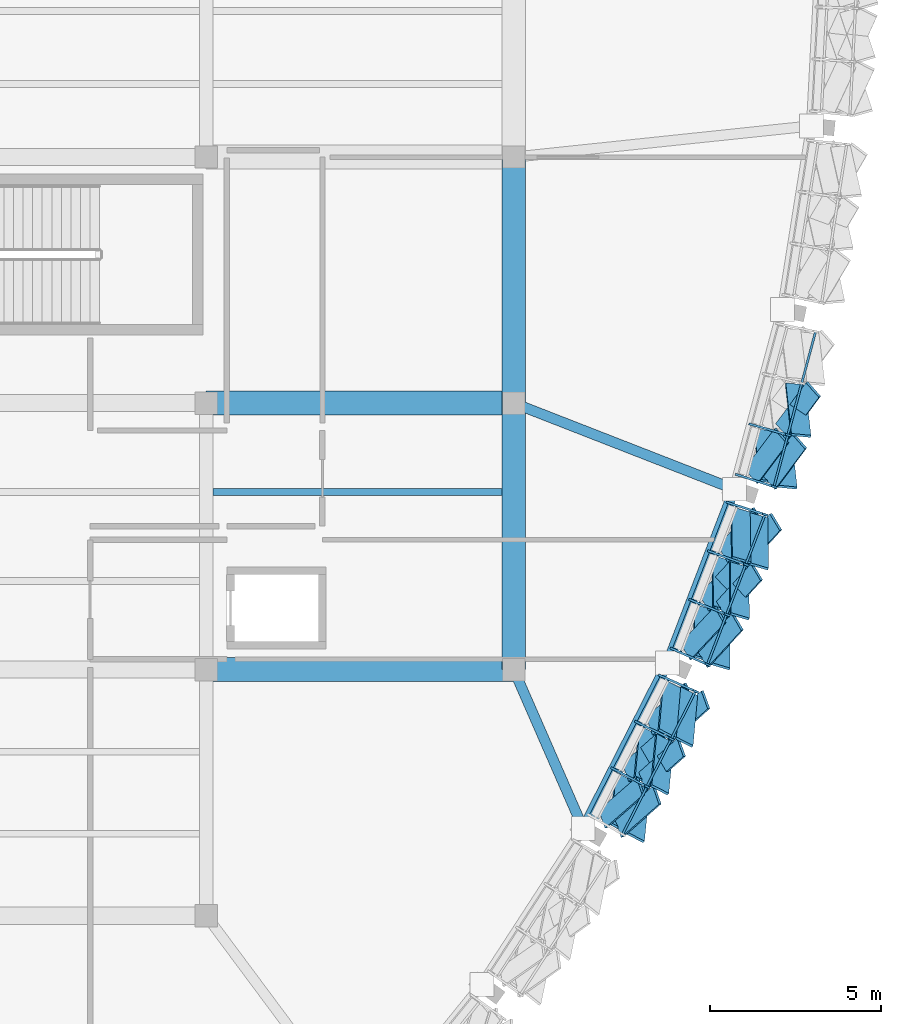
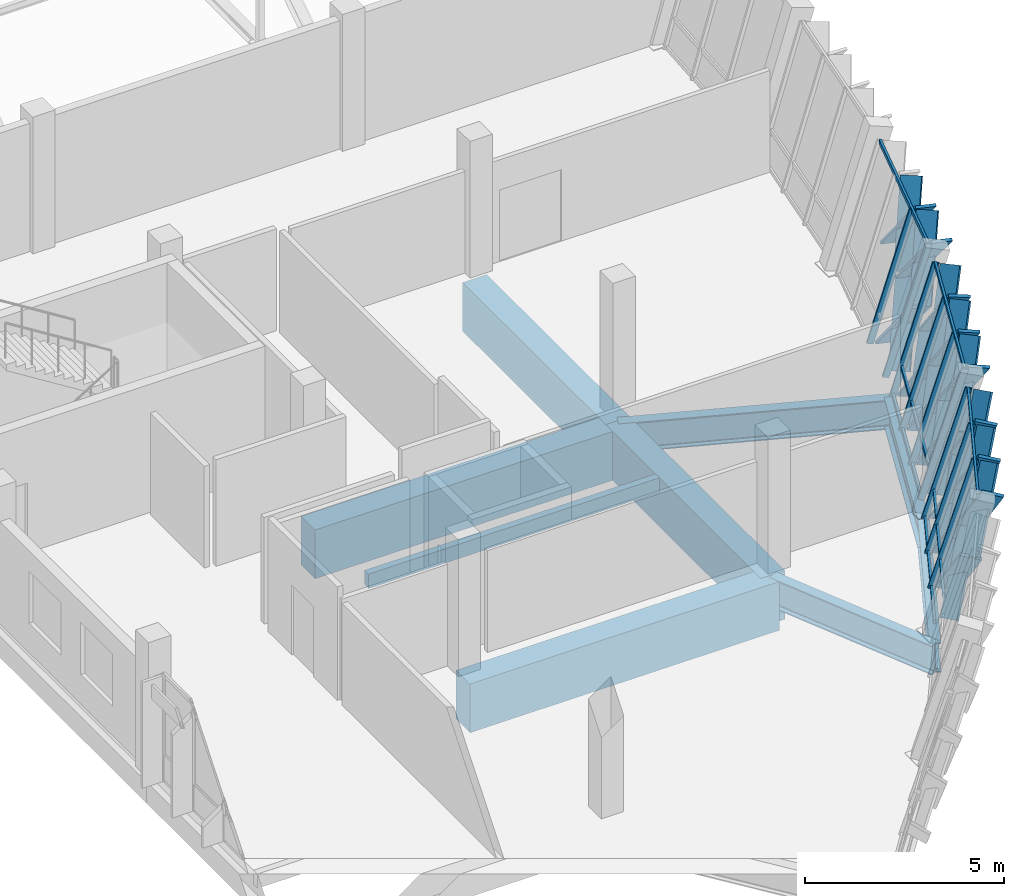
# One storey, part 101 of 182: 46 members, 9 beams, 3 elements without a shape of their own.
"""IFC4 building model written with IfcOpenShell, lengths in metres."""

from ifc_helpers import new_model, si_unit, direction, frame, origin, origin_2d, place, context, subcontext, project, spatial, rectangle, hollow_rectangle, i_section, extrude, material, material_profile, profile_set, type_object, element, aggregate, save


model = new_model("IFC4")

# Units and contexts
model_context = context("Model", 3, precision=1e-05, world=origin(), true_north=direction((0.0, 1.0)))
body_context = subcontext(model_context, "Body", "Model", "MODEL_VIEW")
ifc_project = project(units=[si_unit("LENGTHUNIT", "METRE"), si_unit("AREAUNIT", "SQUARE_METRE"), si_unit("VOLUMEUNIT", "CUBIC_METRE"), si_unit("PLANEANGLEUNIT", "RADIAN"), si_unit("MASSUNIT", "GRAM", prefix="KILO")], contexts=[model_context])

# Site, building, storey
site_placement = place(None, origin())
site = spatial("IfcSite", under=ifc_project, at=site_placement, CompositionType="ELEMENT")
building_placement = place(site_placement, origin())
building = spatial("IfcBuilding", under=site, at=building_placement, Name="Chiffa Square Polytechnic", CompositionType="ELEMENT")
storey_placement = place(building_placement, frame((0.0, 0.0, 9.60009765625)))
storey = spatial("IfcBuildingStorey", under=building, at=storey_placement, Name="L02", CompositionType="ELEMENT", Elevation=9.60009765625)

# Beams
ifc_material_1 = material(Name="Concrete C40/50", Category="concrete")
ifc_material_profile_1 = material_profile(ifc_material_1, rectangle(XDim=0.699951171875, YDim=1.5, at=origin_2d()), Name="RC 700x1500")
ifc_profile_set_1 = profile_set([ifc_material_profile_1], Name="Concrete C40/50")
beam_type_1 = type_object("IfcBeamType", Name="BM-RC-700X1500", PredefinedType="BEAM", material=ifc_profile_set_1)
for number, where, z_axis, x_axis, name in (
    (1, (157.199951171875, 36.0, -1.070068359375), (1.0, 0.0, 0.0), (0.0, 1.0, 0.0), "Primary floor girder BM-V1-L02-X-1572-0360"),
    (2, (157.199951171875, 43.800048828125, -1.070068359375), (1.0, 0.0, 0.0), (0.0, 1.0, 0.0), "Primary floor girder BM-V1-L02-X-1572-0438"),
):
    element("IfcBeam", number, at=place(storey_placement, frame(where, z_axis=z_axis, x_axis=x_axis)), inside=storey, type_object=beam_type_1, Name=name, PredefinedType="BEAM", context=body_context, shape_type="SweptSolid", body=[
        extrude(rectangle(XDim=0.699951171875, YDim=1.5, at=origin_2d()), origin(), (0.0, 0.0, 1.0), 9.0),
    ])
beam_1_placement = place(storey_placement, frame((166.199951171875, 36.0, -1.070068359375), z_axis=(0.0, 1.0, 0.0), x_axis=(-1.0, 0.0, 0.0)))
element("IfcBeam", 3, at=beam_1_placement, inside=storey, type_object=beam_type_1, Name="Primary floor girder BM-V1-L02-Y-1662-0360", PredefinedType="BEAM", context=body_context, shape_type="SweptSolid", body=[
    extrude(rectangle(XDim=0.699951171875, YDim=1.5, at=origin_2d()), origin(), (0.0, 0.0, 1.0), 7.800048828125),
])
beam_2_placement = place(storey_placement, frame((166.199951171875, 43.800048828125, -1.070068359375), z_axis=(0.0, 1.0, 0.0), x_axis=(-1.0, 0.0, 0.0)))
element("IfcBeam", 4, at=beam_2_placement, inside=storey, type_object=beam_type_1, Name="Primary floor girder BM-V1-L02-Y-1662-0438", PredefinedType="BEAM", context=body_context, shape_type="SweptSolid", body=[
    extrude(rectangle(XDim=0.699951171875, YDim=1.5, at=origin_2d()), origin(), (0.0, 0.0, 1.0), 7.199951171875),
])

# Curtain wall, members
ifc_material_2 = material(Name="Aluminium EN AW-6060 T66 and glulam shading", Category="wood")
curtain_wall_type_1 = type_object("IfcCurtainWallType", Name="CW-PROW-LEAN-150", PredefinedType="USERDEFINED", material=ifc_material_2)
curtain_wall_1_placement = place(storey_placement, origin())
curtain_wall_1 = element("IfcCurtainWall", 5, at=curtain_wall_1_placement, inside=storey, type_object=curtain_wall_type_1, Name="Outward-leaning diamond-fin prow curtain wall CW-V1-L02-039", ObjectType="CURTAIN WALL", PredefinedType="USERDEFINED")
ifc_material_3 = material(Name="Aluminium EN AW-6060 T66", Category="aluminium")
ifc_material_profile_2 = material_profile(ifc_material_3, hollow_rectangle(XDim=0.06494140625, YDim=0.179931640625, WallThickness=0.00390625, at=origin_2d()), Name="ALU 65x180x4")
ifc_profile_set_2 = profile_set([ifc_material_profile_2], Name="Aluminium EN AW-6060 T66")
member_type_1 = type_object("IfcMemberType", Name="CWM-ALU-75X180", PredefinedType="MULLION", material=ifc_profile_set_2)
member_1_placement = place(storey_placement, frame((169.12158203125, 33.09423828125, 0.0), z_axis=(0.240244217664, -0.127605516456, 0.962288703066), x_axis=(0.469085775335, 0.883152611601, 0.0)))
member_1 = element("IfcMember", 6, at=member_1_placement, type_object=member_type_1, Name="Leaning prow mullion CW-V1-L02-039-M01", PredefinedType="MULLION", context=body_context, shape_type="SweptSolid", body=[
    extrude(hollow_rectangle(XDim=0.06494140625, YDim=0.179931640625, WallThickness=0.00390625, at=origin_2d()), origin(), (0.0, 0.0, 1.0), 4.09423828125),
])
member_2_placement = place(storey_placement, frame((169.815185546875, 34.455810546875, 0.0), z_axis=(0.244589304973, -0.119313310398, 0.962257972612), x_axis=(0.438427948826, 0.898766339873, 0.0)))
member_2 = element("IfcMember", 7, at=member_2_placement, type_object=member_type_1, Name="Leaning prow mullion CW-V1-L02-039-M02", PredefinedType="MULLION", context=body_context, shape_type="SweptSolid", body=[
    extrude(hollow_rectangle(XDim=0.06494140625, YDim=0.179931640625, WallThickness=0.00390625, at=origin_2d()), origin(), (0.0, 0.0, 1.0), 4.094482421875),
])
member_3_placement = place(storey_placement, frame((170.509033203125, 35.81689453125, 0.0), z_axis=(0.248861313193, -0.110836890567, 0.962176299067), x_axis=(0.406849053734, 0.913495400906, 0.0)))
member_3 = element("IfcMember", 8, at=member_3_placement, type_object=member_type_1, Name="Leaning prow mullion CW-V1-L02-039-M03", PredefinedType="MULLION", context=body_context, shape_type="SweptSolid", body=[
    extrude(hollow_rectangle(XDim=0.06494140625, YDim=0.179931640625, WallThickness=0.00390625, at=origin_2d()), origin(), (0.0, 0.0, 1.0), 4.0947265625),
])

curtain_wall_type_2 = type_object("IfcCurtainWallType", Name="CW-PROW-LEAN-300", PredefinedType="USERDEFINED", material=ifc_material_2)
curtain_wall_2_placement = place(storey_placement, origin())
curtain_wall_2 = element("IfcCurtainWall", 9, at=curtain_wall_2_placement, inside=storey, type_object=curtain_wall_type_2, Name="Outward-leaning diamond-fin prow curtain wall CW-V1-L02-040", ObjectType="CURTAIN WALL", PredefinedType="USERDEFINED")
member_4_placement = place(storey_placement, frame((170.85791015625, 36.60107421875, 0.0), z_axis=(0.248859668218, -0.110895779321, 0.962169939077), x_axis=(0.407031657041, 0.913414051877, 0.0)))
member_4 = element("IfcMember", 10, at=member_4_placement, type_object=member_type_1, Name="Leaning prow mullion CW-V1-L02-040-M00", PredefinedType="MULLION", context=body_context, shape_type="SweptSolid", body=[
    extrude(hollow_rectangle(XDim=0.06494140625, YDim=0.179931640625, WallThickness=0.00390625, at=origin_2d()), origin(), (0.0, 0.0, 1.0), 4.094970703125),
])
member_5_placement = place(storey_placement, frame((171.40576171875, 38.02734375, 0.0), z_axis=(0.252173248082, -0.101906852914, 0.962301224296), x_axis=(0.374676909494, 0.927155441925, 0.0)))
member_5 = element("IfcMember", 11, at=member_5_placement, type_object=member_type_1, Name="Leaning prow mullion CW-V1-L02-040-M01", PredefinedType="MULLION", context=body_context, shape_type="SweptSolid", body=[
    extrude(hollow_rectangle(XDim=0.06494140625, YDim=0.179931640625, WallThickness=0.00390625, at=origin_2d()), origin(), (0.0, 0.0, 1.0), 4.09423828125),
])
member_6_placement = place(storey_placement, frame((171.953369140625, 39.45361328125, 0.0), z_axis=(0.255574332263, -0.092963225385, 0.962309513314), x_axis=(0.341831086898, 0.939761410162, 0.0)))
member_6 = element("IfcMember", 12, at=member_6_placement, type_object=member_type_1, Name="Leaning prow mullion CW-V1-L02-040-M02", PredefinedType="MULLION", context=body_context, shape_type="SweptSolid", body=[
    extrude(hollow_rectangle(XDim=0.06494140625, YDim=0.179931640625, WallThickness=0.00390625, at=origin_2d()), origin(), (0.0, 0.0, 1.0), 4.09423828125),
])
member_7_placement = place(storey_placement, frame((172.5009765625, 40.8798828125, 0.0), z_axis=(0.258896138786, -0.084013049182, 0.962244561891), x_axis=(0.308660050707, 0.951172420278, 0.0)))
member_7 = element("IfcMember", 13, at=member_7_placement, type_object=member_type_1, Name="Leaning prow mullion CW-V1-L02-040-M03", PredefinedType="MULLION", context=body_context, shape_type="SweptSolid", body=[
    extrude(hollow_rectangle(XDim=0.06494140625, YDim=0.179931640625, WallThickness=0.00390625, at=origin_2d()), origin(), (0.0, 0.0, 1.0), 4.094482421875),
])

curtain_wall_3_placement = place(storey_placement, origin())
curtain_wall_3 = element("IfcCurtainWall", 14, at=curtain_wall_3_placement, inside=storey, type_object=curtain_wall_type_1, Name="Outward-leaning diamond-fin prow curtain wall CW-V1-L02-041", ObjectType="CURTAIN WALL", PredefinedType="USERDEFINED")
member_8_placement = place(storey_placement, frame((172.76611328125, 41.696044921875, 0.0), z_axis=(0.258840508052, -0.084014345968, 0.96225941464), x_axis=(0.308724377936, 0.951151543377, 0.0)))
member_8 = element("IfcMember", 15, at=member_8_placement, type_object=member_type_1, Name="Leaning prow mullion CW-V1-L02-041-M00", PredefinedType="MULLION", context=body_context, shape_type="SweptSolid", body=[
    extrude(hollow_rectangle(XDim=0.06494140625, YDim=0.179931640625, WallThickness=0.00390625, at=origin_2d()), origin(), (0.0, 0.0, 1.0), 4.094482421875),
])
member_9_placement = place(storey_placement, frame((173.16162109375, 43.172119140625, 0.0), z_axis=(0.261362878228, -0.074956225857, 0.962325833639), x_axis=(0.275676867266, 0.961250365334, 0.0)))
member_9 = element("IfcMember", 16, at=member_9_placement, type_object=member_type_1, Name="Leaning prow mullion CW-V1-L02-041-M01", PredefinedType="MULLION", context=body_context, shape_type="SweptSolid", body=[
    extrude(hollow_rectangle(XDim=0.06494140625, YDim=0.179931640625, WallThickness=0.00390625, at=origin_2d()), origin(), (0.0, 0.0, 1.0), 4.09423828125),
])

# Member
ifc_material_4 = material(Name="Glulam GL28h", Category="wood")
ifc_material_profile_3 = material_profile(ifc_material_4, rectangle(XDim=0.080078125, YDim=0.580078125, at=origin_2d()), Name="GL28h 80x580")
ifc_profile_set_3 = profile_set([ifc_material_profile_3], Name="Glulam GL28h")
member_type_2 = type_object("IfcMemberType", Name="CWM-GL-80X580", PredefinedType="MULLION", material=ifc_profile_set_3)
member_10_placement = place(storey_placement, frame((168.81005859375, 31.632080078125, 0.039794921875), z_axis=(0.454531100455, 0.394950263026, 0.798383221551), x_axis=(-0.834744332212, -0.123890887713, 0.536519289291)))
member_10 = element("IfcMember", 17, at=member_10_placement, type_object=member_type_2, Name="Diamond glulam fin CW-V1-L02-039-DF01A", PredefinedType="MULLION", context=body_context, shape_type="SweptSolid", body=[
    extrude(rectangle(XDim=0.080078125, YDim=0.580078125, at=origin_2d()), origin(), (0.0, 0.0, 1.0), 2.417724609375),
])

member_11_placement = place(storey_placement, frame((169.427978515625, 32.843994140625, 0.039794921875), z_axis=(-0.059060562221, -0.608423893527, 0.791411533765), x_axis=(0.51999649451, 0.657990537298, 0.54465778111)))
member_11 = element("IfcMember", 18, at=member_11_placement, type_object=member_type_2, Name="Diamond glulam fin CW-V1-L02-039-DF01B", PredefinedType="MULLION", context=body_context, shape_type="SweptSolid", body=[
    extrude(rectangle(XDim=0.080078125, YDim=0.580078125, at=origin_2d()), origin(), (0.0, 0.0, 1.0), 2.43896484375),
])

member_12_placement = place(storey_placement, frame((169.283935546875, 31.360107421875, 1.969970703125), z_axis=(0.455755039679, 0.399716285352, 0.795307635467), x_axis=(-0.83210402693, -0.125931129372, 0.540133538139)))
member_12 = element("IfcMember", 19, at=member_12_placement, type_object=member_type_2, Name="Diamond glulam fin CW-V1-L02-039-DF02A", PredefinedType="MULLION", context=body_context, shape_type="SweptSolid", body=[
    extrude(rectangle(XDim=0.080078125, YDim=0.580078125, at=origin_2d()), origin(), (0.0, 0.0, 1.0), 2.4267578125),
])

member_13_placement = place(storey_placement, frame((169.908935546875, 32.5869140625, 1.969970703125), z_axis=(-0.062021785563, -0.612240777103, 0.78823507215), x_axis=(0.522463843872, 0.652989991321, 0.548302474079)))
member_13 = element("IfcMember", 20, at=member_13_placement, type_object=member_type_2, Name="Diamond glulam fin CW-V1-L02-039-DF02B", PredefinedType="MULLION", context=body_context, shape_type="SweptSolid", body=[
    extrude(rectangle(XDim=0.080078125, YDim=0.580078125, at=origin_2d()), origin(), (0.0, 0.0, 1.0), 2.448486328125),
])

member_14_placement = place(storey_placement, frame((169.50390625, 32.993896484375, 0.039794921875), z_axis=(0.456343781979, 0.399941741509, 0.794856563191), x_axis=(-0.831847104159, -0.125366318382, 0.540660412383)))
member_14 = element("IfcMember", 21, at=member_14_placement, type_object=member_type_2, Name="Diamond glulam fin CW-V1-L02-039-DF03A", PredefinedType="MULLION", context=body_context, shape_type="SweptSolid", body=[
    extrude(rectangle(XDim=0.080078125, YDim=0.580078125, at=origin_2d()), origin(), (0.0, 0.0, 1.0), 2.42822265625),
])

member_15_placement = place(storey_placement, frame((170.12109375, 34.2060546875, 0.039794921875), z_axis=(-0.055601418848, -0.604175272801, 0.794909253914), x_axis=(0.516986917078, 0.663684674518, 0.540598908971)))
member_15 = element("IfcMember", 22, at=member_15_placement, type_object=member_type_2, Name="Diamond glulam fin CW-V1-L02-039-DF03B", PredefinedType="MULLION", context=body_context, shape_type="SweptSolid", body=[
    extrude(rectangle(XDim=0.080078125, YDim=0.580078125, at=origin_2d()), origin(), (0.0, 0.0, 1.0), 2.42822265625),
])

member_16_placement = place(storey_placement, frame((169.986083984375, 32.739013671875, 1.969970703125), z_axis=(0.457795032426, 0.404514140444, 0.791701975788), x_axis=(-0.829224570646, -0.126883989847, 0.544322573993)))
member_16 = element("IfcMember", 23, at=member_16_placement, type_object=member_type_2, Name="Diamond glulam fin CW-V1-L02-039-DF04A", PredefinedType="MULLION", context=body_context, shape_type="SweptSolid", body=[
    extrude(rectangle(XDim=0.080078125, YDim=0.580078125, at=origin_2d()), origin(), (0.0, 0.0, 1.0), 2.437744140625),
])

member_17_placement = place(storey_placement, frame((170.612060546875, 33.965087890625, 1.969970703125), z_axis=(-0.058691200097, -0.608044839233, 0.791730267524), x_axis=(0.519667160174, 0.658554889829, 0.544289904113)))
member_17 = element("IfcMember", 24, at=member_17_placement, type_object=member_type_2, Name="Diamond glulam fin CW-V1-L02-039-DF04B", PredefinedType="MULLION", context=body_context, shape_type="SweptSolid", body=[
    extrude(rectangle(XDim=0.080078125, YDim=0.580078125, at=origin_2d()), origin(), (0.0, 0.0, 1.0), 2.4375),
])

member_18_placement = place(storey_placement, frame((170.197998046875, 34.35498046875, 0.039794921875), z_axis=(0.457536061224, 0.40548645461, 0.791354211341), x_axis=(-0.828804963609, -0.127899200576, 0.544723899594)))
member_18 = element("IfcMember", 25, at=member_18_placement, type_object=member_type_2, Name="Diamond glulam fin CW-V1-L02-039-DF05A", PredefinedType="MULLION", context=body_context, shape_type="SweptSolid", body=[
    extrude(rectangle(XDim=0.080078125, YDim=0.580078125, at=origin_2d()), origin(), (0.0, 0.0, 1.0), 2.43896484375),
])

member_19_placement = place(storey_placement, frame((170.81494140625, 35.56689453125, 0.039794921875), z_axis=(-0.052112489419, -0.599798594305, 0.798452211917), x_axis=(0.513865694215, 0.669459902243, 0.536437776073)))
member_19 = element("IfcMember", 26, at=member_19_placement, type_object=member_type_2, Name="Diamond glulam fin CW-V1-L02-039-DF05B", PredefinedType="MULLION", context=body_context, shape_type="SweptSolid", body=[
    extrude(rectangle(XDim=0.080078125, YDim=0.580078125, at=origin_2d()), origin(), (0.0, 0.0, 1.0), 2.41748046875),
])

member_20_placement = place(storey_placement, frame((170.68896484375, 34.116943359375, 1.969970703125), z_axis=(0.459019030052, 0.410066305518, 0.788128894997), x_axis=(-0.826147463863, -0.129274467763, 0.548423631819)))
member_20 = element("IfcMember", 27, at=member_20_placement, type_object=member_type_2, Name="Diamond glulam fin CW-V1-L02-039-DF06A", PredefinedType="MULLION", context=body_context, shape_type="SweptSolid", body=[
    extrude(rectangle(XDim=0.080078125, YDim=0.580078125, at=origin_2d()), origin(), (0.0, 0.0, 1.0), 2.44873046875),
])

member_21_placement = place(storey_placement, frame((171.31396484375, 35.343994140625, 1.969970703125), z_axis=(-0.055231716187, -0.603725917743, 0.795276350568), x_axis=(0.516658695483, 0.66428913002, 0.54017010665)))
member_21 = element("IfcMember", 28, at=member_21_placement, type_object=member_type_2, Name="Diamond glulam fin CW-V1-L02-039-DF06B", PredefinedType="MULLION", context=body_context, shape_type="SweptSolid", body=[
    extrude(rectangle(XDim=0.080078125, YDim=0.580078125, at=origin_2d()), origin(), (0.0, 0.0, 1.0), 2.4267578125),
])

member_22_placement = place(storey_placement, frame((171.2490234375, 36.5400390625, 0.039794921875), z_axis=(0.410677433592, 0.440465936889, 0.798331888364), x_axis=(-0.770368633545, -0.3007362914, 0.562218686531)))
member_22 = element("IfcMember", 29, at=member_22_placement, type_object=member_type_2, Name="Diamond glulam fin CW-V1-L02-040-DF01A", PredefinedType="MULLION", context=body_context, shape_type="SweptSolid", body=[
    extrude(rectangle(XDim=0.080078125, YDim=0.580078125, at=origin_2d()), origin(), (0.0, 0.0, 1.0), 2.417724609375),
])

member_23_placement = place(storey_placement, frame((171.736083984375, 37.81005859375, 0.039794921875), z_axis=(0.004904841359, -0.611303391378, 0.791381138404), x_axis=(0.35242864095, 0.741669461296, 0.570719250788)))
member_23 = element("IfcMember", 30, at=member_23_placement, type_object=member_type_2, Name="Diamond glulam fin CW-V1-L02-040-DF01B", PredefinedType="MULLION", context=body_context, shape_type="SweptSolid", body=[
    extrude(rectangle(XDim=0.080078125, YDim=0.580078125, at=origin_2d()), origin(), (0.0, 0.0, 1.0), 2.43896484375),
])

member_24_placement = place(storey_placement, frame((171.748046875, 36.319091796875, 1.969970703125), z_axis=(0.411684983013, 0.444985992147, 0.795300535366), x_axis=(-0.767277418967, -0.301637306112, 0.565950791062)))
member_24 = element("IfcMember", 31, at=member_24_placement, type_object=member_type_2, Name="Diamond glulam fin CW-V1-L02-040-DF02A", PredefinedType="MULLION", context=body_context, shape_type="SweptSolid", body=[
    extrude(rectangle(XDim=0.080078125, YDim=0.580078125, at=origin_2d()), origin(), (0.0, 0.0, 1.0), 2.4267578125),
])

member_25_placement = place(storey_placement, frame((172.241943359375, 37.60498046875, 1.969970703125), z_axis=(0.002492588353, -0.615469916068, 0.788156437148), x_axis=(0.355385092523, 0.737252729145, 0.574595378836)))
member_25 = element("IfcMember", 32, at=member_25_placement, type_object=member_type_2, Name="Diamond glulam fin CW-V1-L02-040-DF02B", PredefinedType="MULLION", context=body_context, shape_type="SweptSolid", body=[
    extrude(rectangle(XDim=0.080078125, YDim=0.580078125, at=origin_2d()), origin(), (0.0, 0.0, 1.0), 2.44873046875),
])

member_26_placement = place(storey_placement, frame((171.7958984375, 37.967041015625, 0.039794921875), z_axis=(0.411820185323, 0.445602309901, 0.794885347941), x_axis=(-0.766855499423, -0.301756376974, 0.566458941107)))
member_26 = element("IfcMember", 33, at=member_26_placement, type_object=member_type_2, Name="Diamond glulam fin CW-V1-L02-040-DF03A", PredefinedType="MULLION", context=body_context, shape_type="SweptSolid", body=[
    extrude(rectangle(XDim=0.080078125, YDim=0.580078125, at=origin_2d()), origin(), (0.0, 0.0, 1.0), 2.42822265625),
])

member_27_placement = place(storey_placement, frame((172.283935546875, 39.237060546875, 0.039794921875), z_axis=(0.007842461259, -0.60668475946, 0.79490382968), x_axis=(0.348745786857, 0.746676806116, 0.566436336545)))
member_27 = element("IfcMember", 34, at=member_27_placement, type_object=member_type_2, Name="Diamond glulam fin CW-V1-L02-040-DF03B", PredefinedType="MULLION", context=body_context, shape_type="SweptSolid", body=[
    extrude(rectangle(XDim=0.080078125, YDim=0.580078125, at=origin_2d()), origin(), (0.0, 0.0, 1.0), 2.42822265625),
])

member_28_placement = place(storey_placement, frame((172.302978515625, 37.763916015625, 1.969970703125), z_axis=(0.412379505575, 0.450542389137, 0.791804710122), x_axis=(-0.763451188495, -0.303325385861, 0.570206973894)))
member_28 = element("IfcMember", 35, at=member_28_placement, type_object=member_type_2, Name="Diamond glulam fin CW-V1-L02-040-DF04A", PredefinedType="MULLION", context=body_context, shape_type="SweptSolid", body=[
    extrude(rectangle(XDim=0.080078125, YDim=0.580078125, at=origin_2d()), origin(), (0.0, 0.0, 1.0), 2.4375),
])

member_29_placement = place(storey_placement, frame((172.7958984375, 39.049072265625, 1.969970703125), z_axis=(0.005408396509, -0.610848339066, 0.791729155651), x_axis=(0.351809855764, 0.742286706546, 0.570298404936)))
member_29 = element("IfcMember", 36, at=member_29_placement, type_object=member_type_2, Name="Diamond glulam fin CW-V1-L02-040-DF04B", PredefinedType="MULLION", context=body_context, shape_type="SweptSolid", body=[
    extrude(rectangle(XDim=0.080078125, YDim=0.580078125, at=origin_2d()), origin(), (0.0, 0.0, 1.0), 2.4375),
])

member_30_placement = place(storey_placement, frame((172.343994140625, 39.39404296875, 0.039794921875), z_axis=(0.412881087576, 0.450916193826, 0.791330394758), x_axis=(-0.76321048672, -0.302851930051, 0.570780572046)))
member_30 = element("IfcMember", 37, at=member_30_placement, type_object=member_type_2, Name="Diamond glulam fin CW-V1-L02-040-DF05A", PredefinedType="MULLION", context=body_context, shape_type="SweptSolid", body=[
    extrude(rectangle(XDim=0.080078125, YDim=0.580078125, at=origin_2d()), origin(), (0.0, 0.0, 1.0), 2.439208984375),
])

member_31_placement = place(storey_placement, frame((172.83203125, 40.6640625, 0.039794921875), z_axis=(0.010299114841, -0.602195303037, 0.798282371867), x_axis=(0.345571504494, 0.751279960051, 0.562279963103)))
member_31 = element("IfcMember", 38, at=member_31_placement, type_object=member_type_2, Name="Diamond glulam fin CW-V1-L02-040-DF05B", PredefinedType="MULLION", context=body_context, shape_type="SweptSolid", body=[
    extrude(rectangle(XDim=0.080078125, YDim=0.580078125, at=origin_2d()), origin(), (0.0, 0.0, 1.0), 2.41796875),
])

member_32_placement = place(storey_placement, frame((172.85693359375, 39.2080078125, 1.969970703125), z_axis=(0.413260681483, 0.456132115268, 0.788136474578), x_axis=(-0.759602447639, -0.304658573677, 0.574619243522)))
member_32 = element("IfcMember", 39, at=member_32_placement, type_object=member_type_2, Name="Diamond glulam fin CW-V1-L02-040-DF06A", PredefinedType="MULLION", context=body_context, shape_type="SweptSolid", body=[
    extrude(rectangle(XDim=0.080078125, YDim=0.580078125, at=origin_2d()), origin(), (0.0, 0.0, 1.0), 2.44873046875),
])

member_33_placement = place(storey_placement, frame((173.35107421875, 40.493896484375, 1.969970703125), z_axis=(0.007847394876, -0.606160950395, 0.795303288444), x_axis=(0.348726543596, 0.74705643465, 0.565947419148)))
member_33 = element("IfcMember", 40, at=member_33_placement, type_object=member_type_2, Name="Diamond glulam fin CW-V1-L02-040-DF06B", PredefinedType="MULLION", context=body_context, shape_type="SweptSolid", body=[
    extrude(rectangle(XDim=0.080078125, YDim=0.580078125, at=origin_2d()), origin(), (0.0, 0.0, 1.0), 2.4267578125),
])

member_34_placement = place(storey_placement, frame((173.160888671875, 41.677001953125, 0.039794921875), z_axis=(0.362463576834, 0.480726281898, 0.798449996782), x_axis=(-0.670976360711, -0.459994039042, 0.581546393174)))
member_34 = element("IfcMember", 41, at=member_34_placement, type_object=member_type_2, Name="Diamond glulam fin CW-V1-L02-041-DF01A", PredefinedType="MULLION", context=body_context, shape_type="SweptSolid", body=[
    extrude(rectangle(XDim=0.080078125, YDim=0.580078125, at=origin_2d()), origin(), (0.0, 0.0, 1.0), 2.41748046875),
])

member_35_placement = place(storey_placement, frame((173.512939453125, 42.990966796875, 0.039794921875), z_axis=(0.06846246901, -0.607554366802, 0.791322046778), x_axis=(0.171601003734, 0.788532916353, 0.590566622275)))
member_35 = element("IfcMember", 42, at=member_35_placement, type_object=member_type_2, Name="Diamond glulam fin CW-V1-L02-041-DF01B", PredefinedType="MULLION", context=body_context, shape_type="SweptSolid", body=[
    extrude(rectangle(XDim=0.080078125, YDim=0.580078125, at=origin_2d()), origin(), (0.0, 0.0, 1.0), 2.439208984375),
])

member_36_placement = place(storey_placement, frame((173.679931640625, 41.509033203125, 1.969970703125), z_axis=(0.363024194088, 0.485742264685, 0.795152744324), x_axis=(-0.667112562989, -0.460284798574, 0.585746303876)))
member_36 = element("IfcMember", 43, at=member_36_placement, type_object=member_type_2, Name="Diamond glulam fin CW-V1-L02-041-DF02A", PredefinedType="MULLION", context=body_context, shape_type="SweptSolid", body=[
    extrude(rectangle(XDim=0.080078125, YDim=0.580078125, at=origin_2d()), origin(), (0.0, 0.0, 1.0), 2.427001953125),
])

member_37_placement = place(storey_placement, frame((174.037109375, 42.839111328125, 1.969970703125), z_axis=(0.066522178419, -0.611565214493, 0.788392534339), x_axis=(0.174952838597, 0.785050812871, 0.594211010902)))
member_37 = element("IfcMember", 44, at=member_37_placement, type_object=member_type_2, Name="Diamond glulam fin CW-V1-L02-041-DF02B", PredefinedType="MULLION", context=body_context, shape_type="SweptSolid", body=[
    extrude(rectangle(XDim=0.080078125, YDim=0.580078125, at=origin_2d()), origin(), (0.0, 0.0, 1.0), 2.447998046875),
])

member_38_placement = place(storey_placement, frame((174.0810546875, 43.00390625, 1.969970703125), z_axis=(0.363101323494, 0.491113321129, 0.791811299923), x_axis=(-0.662808267669, -0.461127891938, 0.589954462299)))
member_38 = element("IfcMember", 45, at=member_38_placement, type_object=member_type_2, Name="Diamond glulam fin CW-V1-L02-041-DF04A", PredefinedType="MULLION", context=body_context, shape_type="SweptSolid", body=[
    extrude(rectangle(XDim=0.080078125, YDim=0.580078125, at=origin_2d()), origin(), (0.0, 0.0, 1.0), 2.437255859375),
])

member_39_placement = place(storey_placement, frame((174.43798828125, 44.333984375, 1.969970703125), z_axis=(0.068517868181, -0.606843926078, 0.79186220463), x_axis=(0.171368661728, 0.789089177691, 0.589890711427)))
member_39 = element("IfcMember", 46, at=member_39_placement, type_object=member_type_2, Name="Diamond glulam fin CW-V1-L02-041-DF04B", PredefinedType="MULLION", context=body_context, shape_type="SweptSolid", body=[
    extrude(rectangle(XDim=0.080078125, YDim=0.580078125, at=origin_2d()), origin(), (0.0, 0.0, 1.0), 2.437255859375),
])

ifc_material_profile_4 = material_profile(ifc_material_3, hollow_rectangle(XDim=0.06494140625, YDim=0.139892578125, WallThickness=0.00390625, at=origin_2d()), Name="ALU 65x140x4")
ifc_profile_set_4 = profile_set([ifc_material_profile_4], Name="Aluminium EN AW-6060 T66")
member_type_3 = type_object("IfcMemberType", Name="CWT-ALU-75X140", PredefinedType="USERDEFINED", material=ifc_profile_set_4)
member_40_placement = place(storey_placement, frame((168.437744140625, 31.727294921875, 0.039794921875), z_axis=(0.453995177443, 0.891004140764, 0.0), x_axis=(-0.891004140764, 0.453995177443, 0.0)))
member_40 = element("IfcMember", 47, at=member_40_placement, type_object=member_type_3, Name="Leaning prow transom CW-V1-L02-039-T01", ObjectType="TRANSOM", PredefinedType="USERDEFINED", context=body_context, shape_type="SweptSolid", body=[
    extrude(hollow_rectangle(XDim=0.06494140625, YDim=0.139892578125, WallThickness=0.00390625, at=origin_2d()), origin(), (0.0, 0.0, 1.0), 4.5849609375),
])

member_41_placement = place(storey_placement, frame((168.636474609375, 31.61279296875, 0.849853515625), z_axis=(0.45400275787, 0.891000278252, 0.0), x_axis=(-0.891000278252, 0.45400275787, 0.0)))
member_41 = element("IfcMember", 48, at=member_41_placement, type_object=member_type_3, Name="Leaning prow transom CW-V1-L02-039-T02", ObjectType="TRANSOM", PredefinedType="USERDEFINED", context=body_context, shape_type="SweptSolid", body=[
    extrude(hollow_rectangle(XDim=0.06494140625, YDim=0.139892578125, WallThickness=0.00390625, at=origin_2d()), origin(), (0.0, 0.0, 1.0), 4.608642578125),
])

member_42_placement = place(storey_placement, frame((169.38427734375, 31.181640625, 3.89990234375), z_axis=(0.454059666057, 0.890971278807, 0.0), x_axis=(-0.890971278807, 0.454059666057, 0.0)))
member_42 = element("IfcMember", 49, at=member_42_placement, type_object=member_type_3, Name="Leaning prow transom CW-V1-L02-039-T03", ObjectType="TRANSOM", PredefinedType="USERDEFINED", context=body_context, shape_type="SweptSolid", body=[
    extrude(hollow_rectangle(XDim=0.06494140625, YDim=0.139892578125, WallThickness=0.00390625, at=origin_2d()), origin(), (0.0, 0.0, 1.0), 4.6982421875),
])

aggregate(curtain_wall_1, [member_1, member_2, member_3, member_40, member_41, member_42, member_10, member_11, member_12, member_13, member_14, member_15, member_16, member_17, member_18, member_19, member_20, member_21])

member_43_placement = place(storey_placement, frame((170.868408203125, 36.596435546875, 0.039794921875), z_axis=(0.358436620799, 0.933554063175, 0.0), x_axis=(-0.933554063175, 0.358436620799, 0.0)))
member_43 = element("IfcMember", 50, at=member_43_placement, type_object=member_type_3, Name="Leaning prow transom CW-V1-L02-040-T01", ObjectType="TRANSOM", PredefinedType="USERDEFINED", context=body_context, shape_type="SweptSolid", body=[
    extrude(hollow_rectangle(XDim=0.06494140625, YDim=0.139892578125, WallThickness=0.00390625, at=origin_2d()), origin(), (0.0, 0.0, 1.0), 4.584716796875),
])

member_44_placement = place(storey_placement, frame((171.077880859375, 36.503173828125, 0.849853515625), z_axis=(0.358403971969, 0.933566597987, 0.0), x_axis=(-0.933566597987, 0.358403971969, 0.0)))
member_44 = element("IfcMember", 51, at=member_44_placement, type_object=member_type_3, Name="Leaning prow transom CW-V1-L02-040-T02", ObjectType="TRANSOM", PredefinedType="USERDEFINED", context=body_context, shape_type="SweptSolid", body=[
    extrude(hollow_rectangle(XDim=0.06494140625, YDim=0.139892578125, WallThickness=0.00390625, at=origin_2d()), origin(), (0.0, 0.0, 1.0), 4.60888671875),
])

member_45_placement = place(storey_placement, frame((171.86669921875, 36.151611328125, 3.89990234375), z_axis=(0.358223594254, 0.933635826498, 0.0), x_axis=(-0.933635826498, 0.358223594254, 0.0)))
member_45 = element("IfcMember", 52, at=member_45_placement, type_object=member_type_3, Name="Leaning prow transom CW-V1-L02-040-T03", ObjectType="TRANSOM", PredefinedType="USERDEFINED", context=body_context, shape_type="SweptSolid", body=[
    extrude(hollow_rectangle(XDim=0.06494140625, YDim=0.139892578125, WallThickness=0.00390625, at=origin_2d()), origin(), (0.0, 0.0, 1.0), 4.699951171875),
])

aggregate(curtain_wall_2, [member_4, member_5, member_6, member_7, member_43, member_44, member_45, member_22, member_23, member_24, member_25, member_26, member_27, member_28, member_29, member_30, member_31, member_32, member_33])

member_46_placement = place(storey_placement, frame((173.815185546875, 41.35546875, 3.89990234375), z_axis=(0.258942971199, 0.965892611871, 0.0), x_axis=(-0.965892611871, 0.258942971199, 0.0)))
member_46 = element("IfcMember", 53, at=member_46_placement, type_object=member_type_3, Name="Leaning prow transom CW-V1-L02-041-T03", ObjectType="TRANSOM", PredefinedType="USERDEFINED", context=body_context, shape_type="SweptSolid", body=[
    extrude(hollow_rectangle(XDim=0.06494140625, YDim=0.139892578125, WallThickness=0.00390625, at=origin_2d()), origin(), (0.0, 0.0, 1.0), 4.698974609375),
])

aggregate(curtain_wall_3, [member_8, member_9, member_46, member_34, member_35, member_36, member_37, member_38, member_39])

# Beams
ifc_material_profile_5 = material_profile(ifc_material_4, rectangle(XDim=0.199951171875, YDim=0.43994140625, at=origin_2d()), Name="GL28h 200x440")
ifc_profile_set_5 = profile_set([ifc_material_profile_5], Name="Glulam GL28h")
beam_type_2 = type_object("IfcBeamType", Name="JST-GL-200X440", PredefinedType="JOIST", material=ifc_profile_set_5)
beam_3_placement = place(storey_placement, frame((157.39794921875, 41.199951171875, -0.5400390625), z_axis=(1.0, 0.0, 0.0), x_axis=(0.0, 1.0, 0.0)))
element("IfcBeam", 54, at=beam_3_placement, inside=storey, type_object=beam_type_2, Name="Secondary floor joist JST-V1-L02-1572-0412", PredefinedType="JOIST", context=body_context, shape_type="SweptSolid", body=[
    extrude(rectangle(XDim=0.199951171875, YDim=0.43994140625, at=origin_2d()), origin(), (0.0, 0.0, 1.0), 8.4541015625),
])
ifc_material_5 = material(Name="Steel S355", Category="steel")
ifc_material_profile_6 = material_profile(ifc_material_5, i_section(OverallWidth=0.300048828125, OverallDepth=0.89990234375, WebThickness=0.0185546875, FlangeThickness=0.031982421875, FilletRadius=0.030029296875, at=origin_2d()), Name="HEB 900")
ifc_profile_set_6 = profile_set([ifc_material_profile_6], Name="Steel S355")
beam_type_3 = type_object("IfcBeamType", Name="TG-STL-HEB900", PredefinedType="USERDEFINED", material=ifc_profile_set_6)
beam_4_placement = place(storey_placement, frame((168.23291015625, 31.35009765625, -0.77001953125), z_axis=(0.45400036129, 0.891001499409, 0.0), x_axis=(-0.891001499409, 0.45400036129, 0.0)))
element("IfcBeam", 55, at=beam_4_placement, inside=storey, type_object=beam_type_3, Name="Prow perimeter transfer girder TG-V1-L02-13", ObjectType="TRANSFER GIRDER", PredefinedType="USERDEFINED", context=body_context, shape_type="SweptSolid", body=[
    extrude(i_section(OverallWidth=0.300048828125, OverallDepth=0.89990234375, WebThickness=0.0185546875, FlangeThickness=0.031982421875, FilletRadius=0.030029296875, at=origin_2d()), origin(), (0.0, 0.0, 1.0), 5.443115234375),
])
beam_5_placement = place(storey_placement, frame((170.7041015625, 36.199951171875, -0.77001953125), z_axis=(0.358446987837, 0.933550082701, 0.0), x_axis=(-0.933550082701, 0.358446987837, 0.0)))
element("IfcBeam", 56, at=beam_5_placement, inside=storey, type_object=beam_type_3, Name="Prow perimeter transfer girder TG-V1-L02-14", ObjectType="TRANSFER GIRDER", PredefinedType="USERDEFINED", context=body_context, shape_type="SweptSolid", body=[
    extrude(i_section(OverallWidth=0.300048828125, OverallDepth=0.89990234375, WebThickness=0.0185546875, FlangeThickness=0.031982421875, FilletRadius=0.030029296875, at=origin_2d()), origin(), (0.0, 0.0, 1.0), 5.442626953125),
])
beam_6_placement = place(storey_placement, frame((168.23291015625, 31.35009765625, -0.77001953125), z_axis=(-0.400591690905, 0.916256676471, 0.0), x_axis=(-0.916256676471, -0.400591690905, 0.0)))
element("IfcBeam", 57, at=beam_6_placement, inside=storey, type_object=beam_type_3, Name="Prow radial transfer girder TG-V1-RAD-L02-13", ObjectType="TRANSFER GIRDER", PredefinedType="USERDEFINED", context=body_context, shape_type="SweptSolid", body=[
    extrude(i_section(OverallWidth=0.300048828125, OverallDepth=0.89990234375, WebThickness=0.0185546875, FlangeThickness=0.031982421875, FilletRadius=0.030029296875, at=origin_2d()), origin(), (0.0, 0.0, 1.0), 5.074951171875),
])
beam_7_placement = place(storey_placement, frame((172.655029296875, 41.281005859375, -0.77001953125), z_axis=(-0.931578201558, 0.363540994088, 0.0), x_axis=(-0.363540994088, -0.931578201558, 0.0)))
element("IfcBeam", 58, at=beam_7_placement, inside=storey, type_object=beam_type_3, Name="Prow radial transfer girder TG-V1-RAD-L02-15", ObjectType="TRANSFER GIRDER", PredefinedType="USERDEFINED", context=body_context, shape_type="SweptSolid", body=[
    extrude(i_section(OverallWidth=0.300048828125, OverallDepth=0.89990234375, WebThickness=0.0185546875, FlangeThickness=0.031982421875, FilletRadius=0.030029296875, at=origin_2d()), origin(), (0.0, 0.0, 1.0), 6.92919921875),
])

save(model, "model.ifc")
